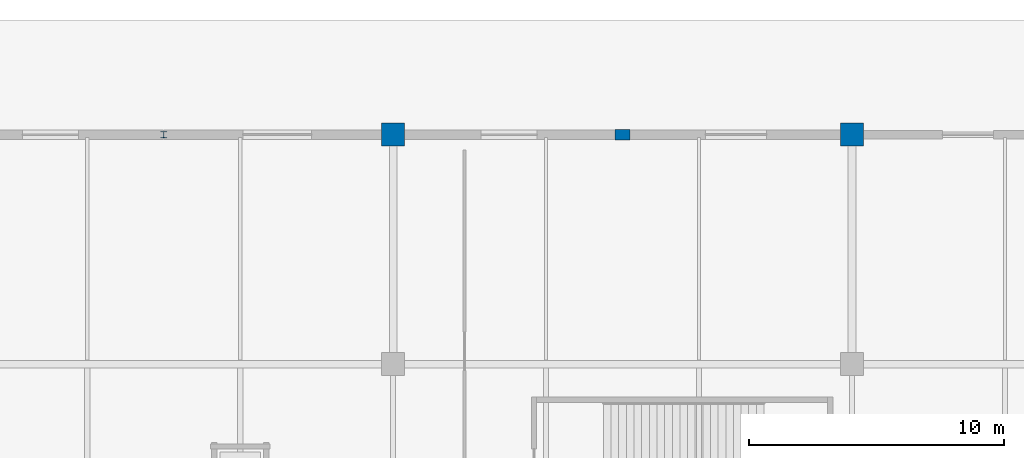
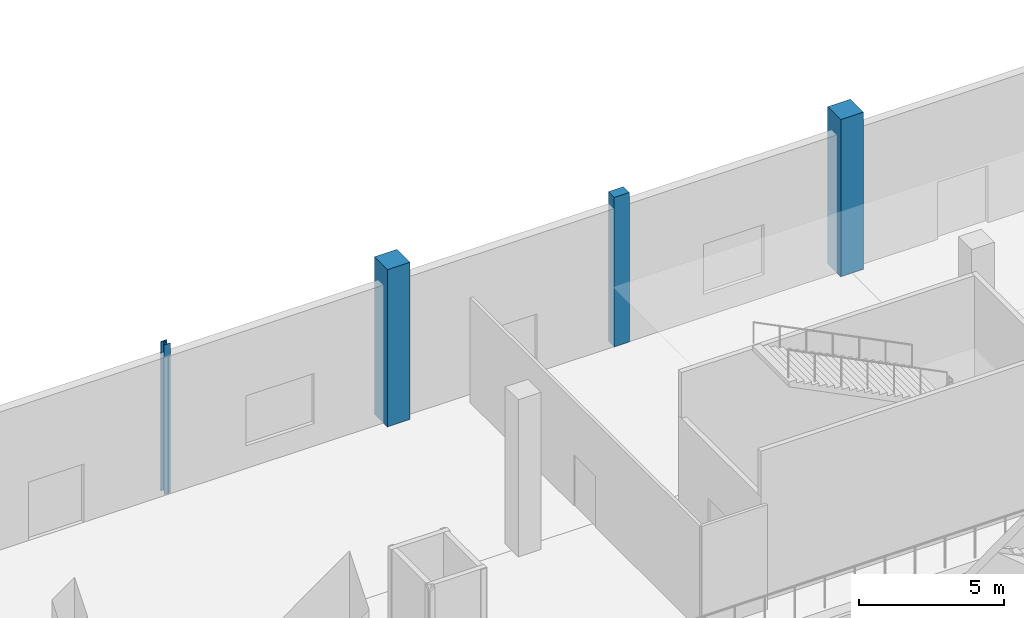
# One storey, part 6 of 65: 4 columns.
"""IFC4 building model written with IfcOpenShell, lengths in metres."""

from ifc_helpers import new_model, si_unit, direction, frame, origin, origin_2d, place, context, subcontext, project, spatial, rectangle, i_section, extrude, material, material_profile, profile_set, type_object, element, save


model = new_model("IFC4")

# Units and contexts
model_context = context("Model", 3, precision=1e-05, world=origin(), true_north=direction((0.0, 1.0)))
body_context = subcontext(model_context, "Body", "Model", "MODEL_VIEW")
ifc_project = project(units=[si_unit("LENGTHUNIT", "METRE"), si_unit("AREAUNIT", "SQUARE_METRE"), si_unit("VOLUMEUNIT", "CUBIC_METRE"), si_unit("PLANEANGLEUNIT", "RADIAN"), si_unit("MASSUNIT", "GRAM", prefix="KILO")], contexts=[model_context])

# Site, building, storey
site_placement = place(None, origin())
site = spatial("IfcSite", under=ifc_project, at=site_placement, CompositionType="ELEMENT")
building_placement = place(site_placement, origin())
building = spatial("IfcBuilding", under=site, at=building_placement, Name="Chuanluo Vaults Station", CompositionType="ELEMENT")
storey_placement = place(building_placement, origin())
storey = spatial("IfcBuildingStorey", under=building, at=storey_placement, Name="L00", CompositionType="ELEMENT", Elevation=0.0)

# Columns
ifc_material_1 = material(Name="Concrete C40", Category="concrete")
ifc_material_profile_1 = material_profile(ifc_material_1, rectangle(XDim=0.60009765625, YDim=0.39990234375, at=origin_2d()))
ifc_profile_set_1 = profile_set([ifc_material_profile_1], Name="Concrete C40")
column_type_1 = type_object("IfcColumnType", Name="COL-PIL-600x400", PredefinedType="PILASTER", material=ifc_profile_set_1)
column_1_placement = place(storey_placement, frame((63.0, 126.0, 0.0), z_axis=(0.0, 0.0, 1.0), x_axis=(1.0, 0.0, 0.0)))
element("IfcColumn", 1, at=column_1_placement, inside=storey, type_object=column_type_1, Name="Streetwall engaged pilaster 04", PredefinedType="PILASTER", context=body_context, shape_type="SweptSolid", body=[
    extrude(rectangle(XDim=0.60009765625, YDim=0.39990234375, at=origin_2d()), origin(), (0.0, 0.0, 1.0), 6.280029296875),
])
ifc_material_2 = material(Name="Concrete C50", Category="concrete")
ifc_material_profile_2 = material_profile(ifc_material_2, rectangle(XDim=0.89990234375, YDim=0.89990234375, at=origin_2d()))
ifc_profile_set_2 = profile_set([ifc_material_profile_2], Name="Concrete C50")
column_type_2 = type_object("IfcColumnType", Name="COL-RC-900x900", PredefinedType="COLUMN", material=ifc_profile_set_2)
for number, where, z_axis, x_axis, name in (
    (2, (54.0, 126.0, 0.0), (0.0, 0.0, 1.0), (1.0, 0.0, 0.0), "Column L00-043"),
    (3, (72.0, 126.0, 0.0), (0.0, 0.0, 1.0), (1.0, 0.0, 0.0), "Column L00-052"),
):
    element("IfcColumn", number, at=place(storey_placement, frame(where, z_axis=z_axis, x_axis=x_axis)), inside=storey, type_object=column_type_2, Name=name, PredefinedType="COLUMN", context=body_context, shape_type="SweptSolid", body=[
        extrude(rectangle(XDim=0.89990234375, YDim=0.89990234375, at=origin_2d()), origin(), (0.0, 0.0, 1.0), 6.60009765625),
    ])
ifc_material_3 = material(Name="Steel Q355C", Category="steel")
ifc_material_profile_3 = material_profile(ifc_material_3, i_section(OverallWidth=0.25, OverallDepth=0.25, WebThickness=0.009033203125, FlangeThickness=0.013916015625, FilletRadius=0.01611328125, at=origin_2d()))
ifc_profile_set_3 = profile_set([ifc_material_profile_3], Name="Steel Q355C")
column_type_3 = type_object("IfcColumnType", Name="COL-STL-HW250", PredefinedType="PILASTER", material=ifc_profile_set_3)
column_2_placement = place(storey_placement, frame((45.0, 126.0, 0.0), z_axis=(0.0, 0.0, 1.0), x_axis=(1.0, 0.0, 0.0)))
element("IfcColumn", 4, at=column_2_placement, inside=storey, type_object=column_type_3, Name="Streetwall engaged pilaster 03", PredefinedType="PILASTER", context=body_context, shape_type="SweptSolid", body=[
    extrude(i_section(OverallWidth=0.25, OverallDepth=0.25, WebThickness=0.009033203125, FlangeThickness=0.013916015625, FilletRadius=0.01611328125, at=origin_2d()), origin(), (0.0, 0.0, 1.0), 6.280029296875),
])

save(model, "model.ifc")
